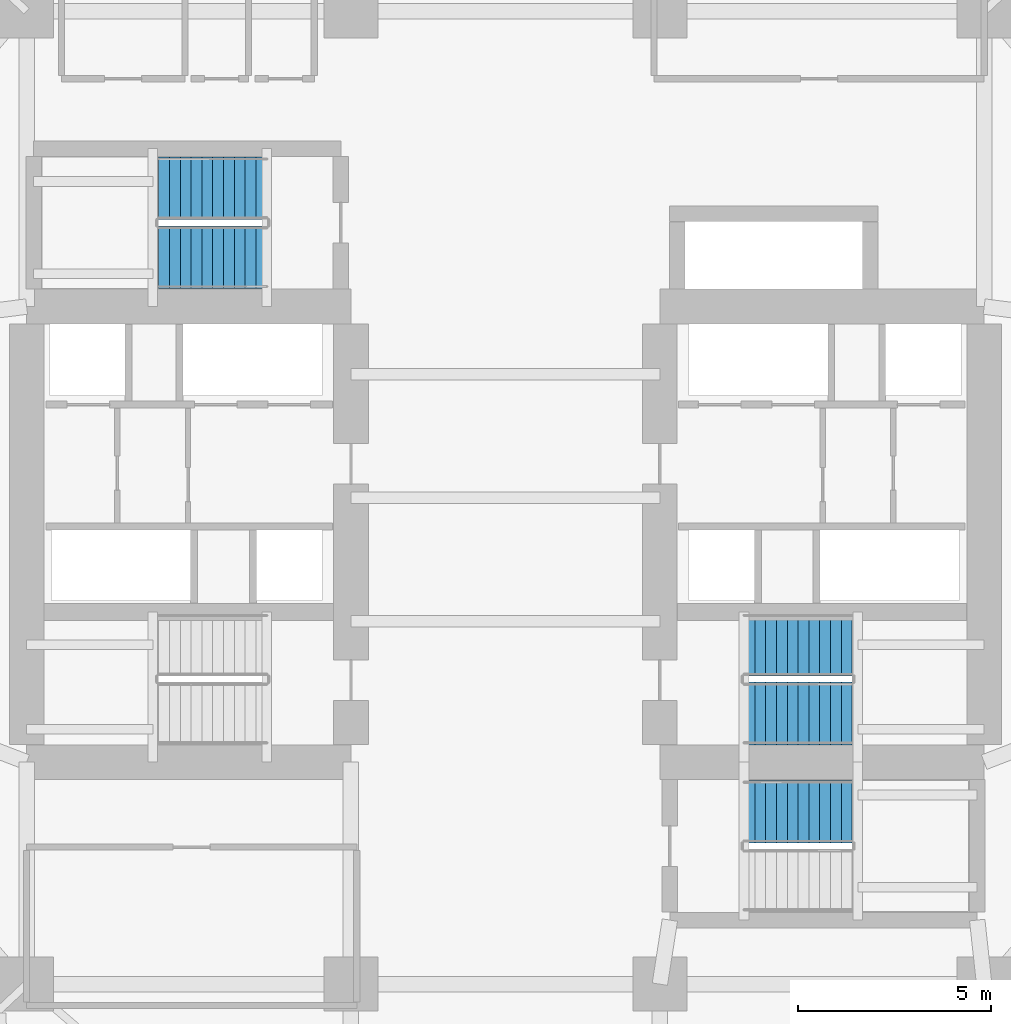
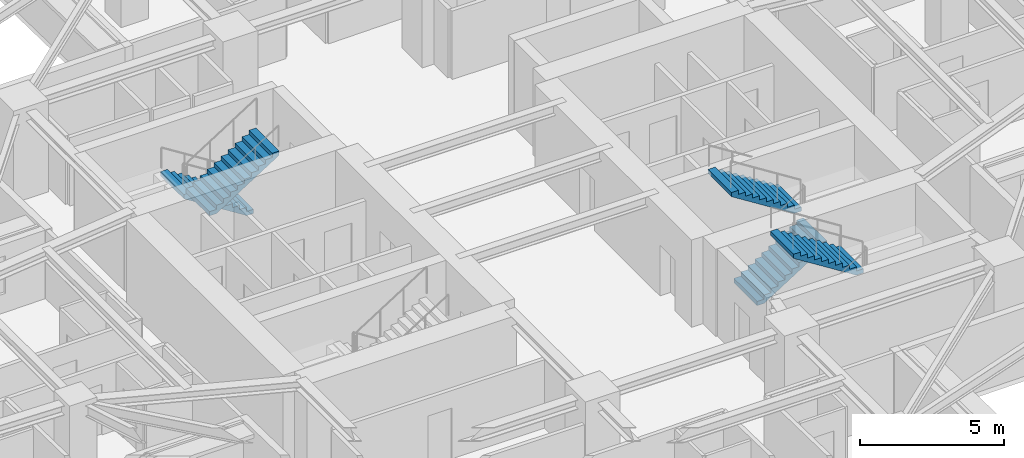
# One storey, part 9 of 14: 5 stair flights, 3 elements without a shape of their own.
"""IFC4 building model written with IfcOpenShell, lengths in metres."""

from ifc_helpers import new_model, si_unit, direction, frame, origin, place, context, subcontext, project, spatial, polyline, outline, extrude, material, layer, layer_set, type_object, element, aggregate, save


model = new_model("IFC4")

# Units and contexts
model_context = context("Model", 3, precision=1e-05, world=origin(), true_north=direction((0.0, 1.0)))
body_context = subcontext(model_context, "Body", "Model", "MODEL_VIEW")
ifc_project = project(units=[si_unit("LENGTHUNIT", "METRE"), si_unit("AREAUNIT", "SQUARE_METRE"), si_unit("VOLUMEUNIT", "CUBIC_METRE"), si_unit("PLANEANGLEUNIT", "RADIAN"), si_unit("MASSUNIT", "GRAM", prefix="KILO")], contexts=[model_context])

# Site, building, storey
site_placement = place(None, origin())
site = spatial("IfcSite", under=ifc_project, at=site_placement, CompositionType="ELEMENT")
building_placement = place(site_placement, origin())
building = spatial("IfcBuilding", under=site, at=building_placement, Name="Qingluan Cross Belvedere", CompositionType="ELEMENT")
storey_placement = place(building_placement, frame((0.0, 0.0, 60.0)))
storey = spatial("IfcBuildingStorey", under=building, at=storey_placement, Name="L15", CompositionType="ELEMENT", Elevation=60.0)

# Stair, stair flights
ifc_material_1 = material(Name="Concrete C40", Category="concrete")
stair_type = type_object("IfcStairType", Name="CoreDoglegStair_1620", PredefinedType="HALF_TURN_STAIR", material=ifc_material_1)
stair_1_placement = place(storey_placement, origin())
stair_1 = element("IfcStair", 1, at=stair_1_placement, inside=storey, type_object=stair_type, Name="L15 ST2", PredefinedType="HALF_TURN_STAIR")
ifc_material_2 = material(Name="Concrete C40", Category="concrete")
ifc_layer = layer(ifc_material_2, 0.179931640625, Name="StairFlight_RC180")
ifc_layer_set = layer_set([ifc_layer], Name="Concrete C40")
stair_flight_type = type_object("IfcStairFlightType", Name="StairFlight_RC180", PredefinedType="STRAIGHT", material=ifc_layer_set)
stair_flight_1_placement = place(storey_placement, frame((6.179931640625, -5.590087890625, 0.0), z_axis=(0.0, 0.0, 1.0), x_axis=(1.0, 0.0, 0.0)))
stair_flight_1 = element("IfcStairFlight", 2, at=stair_flight_1_placement, type_object=stair_flight_type, Name="ST2 flight 1", NumberOfRisers=11, NumberOfTreads=10, PredefinedType="STRAIGHT", RiserHeight=0.177272727, TreadLength=0.28, context=body_context, shape_type="SweptSolid", body=[
    extrude(outline(polyline([(0.0, 0.0), (0.0, 0.17724609375), (0.280029296875, 0.17724609375), (0.280029296875, 0.3544921875), (0.56005859375, 0.3544921875), (0.56005859375, 0.53173828125), (0.840087890625, 0.53173828125), (0.840087890625, 0.708984375), (1.1201171875, 0.708984375), (1.1201171875, 0.886474609375), (1.39990234375, 0.886474609375), (1.39990234375, 1.063720703125), (1.679931640625, 1.063720703125), (1.679931640625, 1.240966796875), (1.9599609375, 1.240966796875), (1.9599609375, 1.418212890625), (2.239990234375, 1.418212890625), (2.239990234375, 1.595458984375), (2.52001953125, 1.595458984375), (2.52001953125, 1.772705078125), (2.800048828125, 1.772705078125), (2.800048828125, 1.949951171875), (2.800048828125, 1.59521484375), (0.2802734375, 0.0), (0.0, 0.0)])), frame((0.0, 0.81005859375, 0.0), z_axis=(0.0, -1.0, 0.0), x_axis=(1.0, 0.0, 0.0)), (0.0, 0.0, 1.0), 1.6201171875),
])
stair_flight_2_placement = place(storey_placement, frame((8.97998046875, -3.81005859375, 1.949951171875), z_axis=(0.0, 0.0, 1.0), x_axis=(-1.0, 0.0, 0.0)))
stair_flight_2 = element("IfcStairFlight", 3, at=stair_flight_2_placement, type_object=stair_flight_type, Name="ST2 flight 2", NumberOfRisers=11, NumberOfTreads=10, PredefinedType="STRAIGHT", RiserHeight=0.177272727, TreadLength=0.28, context=body_context, shape_type="SweptSolid", body=[
    extrude(outline(polyline([(0.0, 0.0), (0.0, 0.17724609375), (0.280029296875, 0.17724609375), (0.280029296875, 0.3544921875), (0.56005859375, 0.3544921875), (0.56005859375, 0.53173828125), (0.840087890625, 0.53173828125), (0.840087890625, 0.708984375), (1.1201171875, 0.708984375), (1.1201171875, 0.886474609375), (1.39990234375, 0.886474609375), (1.39990234375, 1.063720703125), (1.679931640625, 1.063720703125), (1.679931640625, 1.240966796875), (1.9599609375, 1.240966796875), (1.9599609375, 1.418212890625), (2.239990234375, 1.418212890625), (2.239990234375, 1.595458984375), (2.52001953125, 1.595458984375), (2.52001953125, 1.772705078125), (2.800048828125, 1.772705078125), (2.800048828125, 1.949951171875), (2.800048828125, 1.59521484375), (0.2802734375, 0.0), (0.0, 0.0)])), frame((0.0, 0.81005859375, 0.0), z_axis=(0.0, -1.0, 0.0), x_axis=(1.0, 0.0, 0.0)), (0.0, 0.0, 1.0), 1.6201171875),
])
aggregate(stair_1, [stair_flight_1, stair_flight_2])

stair_2_placement = place(storey_placement, origin())
stair_2 = element("IfcStair", 4, at=stair_2_placement, inside=storey, type_object=stair_type, Name="L15 ST3", PredefinedType="HALF_TURN_STAIR")
stair_flight_3_placement = place(storey_placement, frame((-6.179931640625, 8.010009765625, 0.0), z_axis=(0.0, 0.0, 1.0), x_axis=(-1.0, 0.0, 0.0)))
stair_flight_3 = element("IfcStairFlight", 5, at=stair_flight_3_placement, type_object=stair_flight_type, Name="ST3 flight 1", NumberOfRisers=11, NumberOfTreads=10, PredefinedType="STRAIGHT", RiserHeight=0.177272727, TreadLength=0.28, context=body_context, shape_type="SweptSolid", body=[
    extrude(outline(polyline([(0.0, 0.0), (0.0, 0.17724609375), (0.280029296875, 0.17724609375), (0.280029296875, 0.3544921875), (0.56005859375, 0.3544921875), (0.56005859375, 0.53173828125), (0.840087890625, 0.53173828125), (0.840087890625, 0.708984375), (1.1201171875, 0.708984375), (1.1201171875, 0.886474609375), (1.39990234375, 0.886474609375), (1.39990234375, 1.063720703125), (1.679931640625, 1.063720703125), (1.679931640625, 1.240966796875), (1.9599609375, 1.240966796875), (1.9599609375, 1.418212890625), (2.239990234375, 1.418212890625), (2.239990234375, 1.595458984375), (2.52001953125, 1.595458984375), (2.52001953125, 1.772705078125), (2.800048828125, 1.772705078125), (2.800048828125, 1.949951171875), (2.800048828125, 1.59521484375), (0.2802734375, 0.0), (0.0, 0.0)])), frame((0.0, 0.81005859375, 0.0), z_axis=(0.0, -1.0, 0.0), x_axis=(1.0, 0.0, 0.0)), (0.0, 0.0, 1.0), 1.6201171875),
])
stair_flight_4_placement = place(storey_placement, frame((-8.97998046875, 6.22998046875, 1.949951171875), z_axis=(0.0, 0.0, 1.0), x_axis=(1.0, 0.0, 0.0)))
stair_flight_4 = element("IfcStairFlight", 6, at=stair_flight_4_placement, type_object=stair_flight_type, Name="ST3 flight 2", NumberOfRisers=11, NumberOfTreads=10, PredefinedType="STRAIGHT", RiserHeight=0.177272727, TreadLength=0.28, context=body_context, shape_type="SweptSolid", body=[
    extrude(outline(polyline([(0.0, 0.0), (0.0, 0.17724609375), (0.280029296875, 0.17724609375), (0.280029296875, 0.3544921875), (0.56005859375, 0.3544921875), (0.56005859375, 0.53173828125), (0.840087890625, 0.53173828125), (0.840087890625, 0.708984375), (1.1201171875, 0.708984375), (1.1201171875, 0.886474609375), (1.39990234375, 0.886474609375), (1.39990234375, 1.063720703125), (1.679931640625, 1.063720703125), (1.679931640625, 1.240966796875), (1.9599609375, 1.240966796875), (1.9599609375, 1.418212890625), (2.239990234375, 1.418212890625), (2.239990234375, 1.595458984375), (2.52001953125, 1.595458984375), (2.52001953125, 1.772705078125), (2.800048828125, 1.772705078125), (2.800048828125, 1.949951171875), (2.800048828125, 1.59521484375), (0.2802734375, 0.0), (0.0, 0.0)])), frame((0.0, 0.81005859375, 0.0), z_axis=(0.0, -1.0, 0.0), x_axis=(1.0, 0.0, 0.0)), (0.0, 0.0, 1.0), 1.6201171875),
])
aggregate(stair_2, [stair_flight_3, stair_flight_4])

# Stair, stair flight
stair_3_placement = place(storey_placement, origin())
stair_3 = element("IfcStair", 7, at=stair_3_placement, inside=storey, type_object=stair_type, Name="L15 ST4", PredefinedType="HALF_TURN_STAIR")
stair_flight_5_placement = place(storey_placement, frame((8.97998046875, -8.1298828125, 1.949951171875), z_axis=(0.0, 0.0, 1.0), x_axis=(-1.0, 0.0, 0.0)))
stair_flight_5 = element("IfcStairFlight", 8, at=stair_flight_5_placement, type_object=stair_flight_type, Name="ST4 flight 2", NumberOfRisers=11, NumberOfTreads=10, PredefinedType="STRAIGHT", RiserHeight=0.177272727, TreadLength=0.28, context=body_context, shape_type="SweptSolid", body=[
    extrude(outline(polyline([(0.0, 0.0), (0.0, 0.17724609375), (0.280029296875, 0.17724609375), (0.280029296875, 0.3544921875), (0.56005859375, 0.3544921875), (0.56005859375, 0.53173828125), (0.840087890625, 0.53173828125), (0.840087890625, 0.708984375), (1.1201171875, 0.708984375), (1.1201171875, 0.886474609375), (1.39990234375, 0.886474609375), (1.39990234375, 1.063720703125), (1.679931640625, 1.063720703125), (1.679931640625, 1.240966796875), (1.9599609375, 1.240966796875), (1.9599609375, 1.418212890625), (2.239990234375, 1.418212890625), (2.239990234375, 1.595458984375), (2.52001953125, 1.595458984375), (2.52001953125, 1.772705078125), (2.800048828125, 1.772705078125), (2.800048828125, 1.949951171875), (2.800048828125, 1.59521484375), (0.2802734375, 0.0), (0.0, 0.0)])), frame((0.0, 0.81005859375, 0.0), z_axis=(0.0, -1.0, 0.0), x_axis=(1.0, 0.0, 0.0)), (0.0, 0.0, 1.0), 1.6201171875),
])
aggregate(stair_3, [stair_flight_5])

save(model, "model.ifc")
